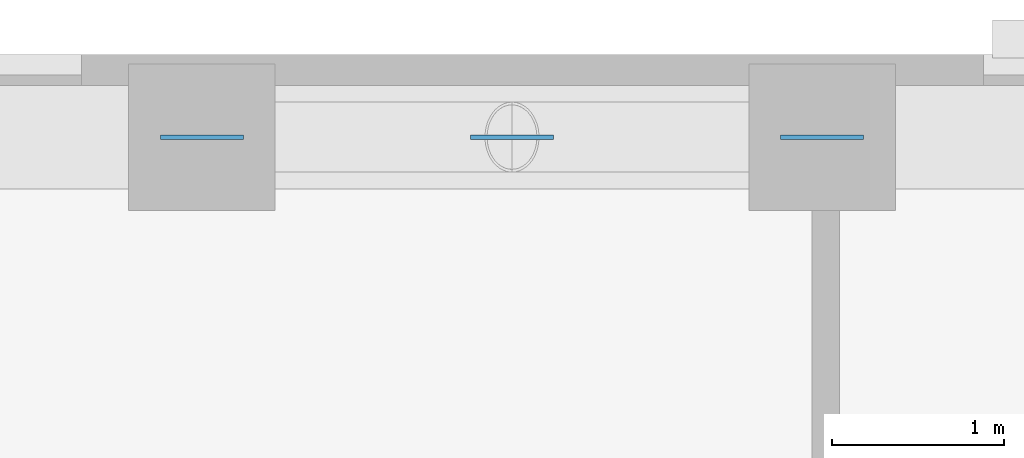
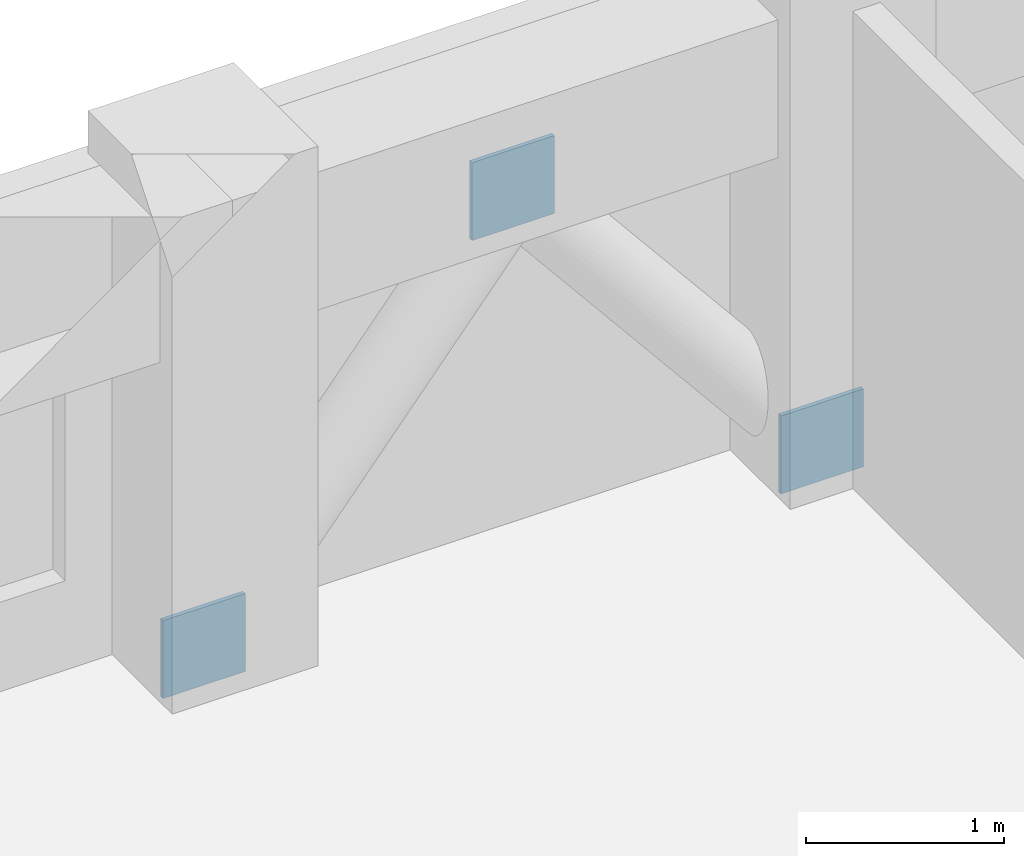
# One storey, part 10 of 12: 3 discrete accessories.
"""IFC4 building model written with IfcOpenShell, lengths in metres."""

from ifc_helpers import new_model, si_unit, derived_unit, direction, frame, origin, origin_2d, place, context, subcontext, project, spatial, rectangle, extrude, material, layer, layer_set, type_object, element, save


model = new_model("IFC4")

# Units and contexts
model_context = context("Model", 3, precision=1e-05, world=origin(), true_north=direction((0.0, 1.0)))
body_context = subcontext(model_context, "Body", "Model", "MODEL_VIEW")
ifc_project = project(units=[si_unit("LENGTHUNIT", "METRE"), si_unit("AREAUNIT", "SQUARE_METRE"), si_unit("VOLUMEUNIT", "CUBIC_METRE"), si_unit("PLANEANGLEUNIT", "RADIAN"), si_unit("MASSUNIT", "GRAM", prefix="KILO"), derived_unit("THERMALTRANSMITTANCEUNIT", [(si_unit("MASSUNIT", "GRAM", prefix="KILO"), 1), (si_unit("TIMEUNIT", "SECOND"), -3), (si_unit("THERMODYNAMICTEMPERATUREUNIT", "KELVIN"), -1)])], contexts=[model_context])

# Site, building, storey
site_placement = place(None, origin())
site = spatial("IfcSite", under=ifc_project, at=site_placement, CompositionType="ELEMENT")
building_placement = place(site_placement, origin())
building = spatial("IfcBuilding", under=site, at=building_placement, Name="Korrvale Station Residences", CompositionType="ELEMENT")
storey_placement = place(building_placement, frame((0.0, 0.0, 94.300048828125)))
storey = spatial("IfcBuildingStorey", under=building, at=storey_placement, Name="L26", CompositionType="ELEMENT", Elevation=94.300048828125)

# Discrete accessories
ifc_material = material(Name="Steel S355", Category="steel")
ifc_layer = layer(ifc_material, 0.02490234375, Name="Steel S355")
ifc_layer_set = layer_set([ifc_layer], Name="Steel S355")
discrete_accessory_type = type_object("IfcDiscreteAccessoryType", Name="ACC-GUSSET-25", PredefinedType="BRACKET", material=ifc_layer_set)
for number, where, z_axis, x_axis, name in (
    (1, (23.199951171875, 42.820068359375, -0.219970703125), (0.0, 0.0, 1.0), (1.0, 0.0, 0.0), "L26 N Brace End Gusset Connection A"),
    (2, (26.800048828125, 42.820068359375, -0.219970703125), (0.0, 0.0, 1.0), (1.0, 0.0, 0.0), "L26 N Brace End Gusset Connection B"),
    (3, (25.0, 42.820068359375, 1.969970703125), (0.0, 0.0, 1.0), (1.0, 0.0, 0.0), "L26 N Brace End Gusset Connection M"),
):
    element("IfcDiscreteAccessory", number, at=place(storey_placement, frame(where, z_axis=z_axis, x_axis=x_axis)), inside=storey, type_object=discrete_accessory_type, Name=name, PredefinedType="BRACKET", context=body_context, shape_type="SweptSolid", body=[
        extrude(rectangle(XDim=0.47998046875, YDim=0.02490234375, at=origin_2d()), origin(), (0.0, 0.0, 1.0), 0.47998046875),
    ])

save(model, "model.ifc")
